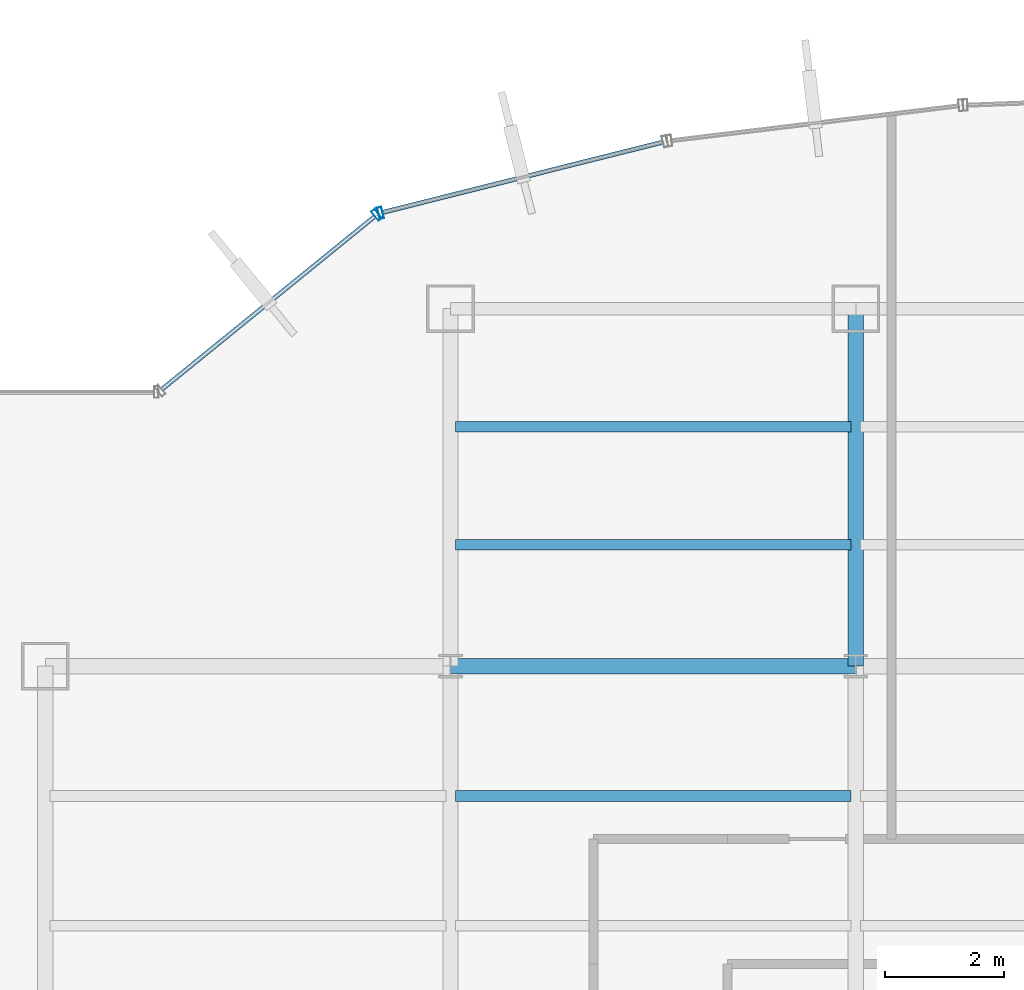
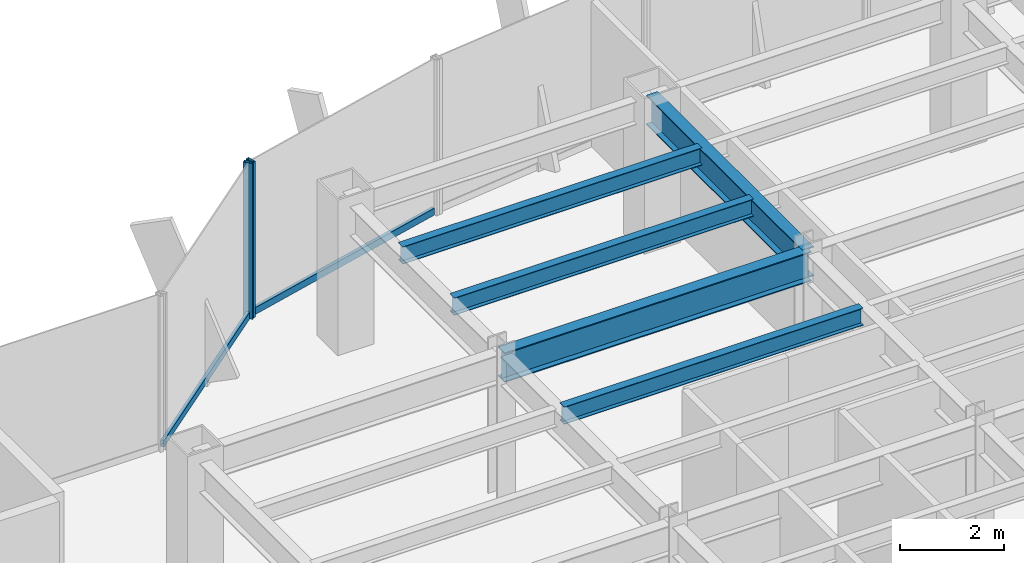
# One storey, part 14 of 26: 5 beams, 4 members, 2 elements without a shape of their own.
"""IFC4 building model written with IfcOpenShell, lengths in metres."""

from ifc_helpers import new_model, si_unit, derived_unit, direction, frame, origin, origin_2d, place, context, subcontext, project, spatial, hollow_rectangle, i_section, extrude, source, transform, mapped, material, material_profile, profile_set, type_object, element, aggregate, save


model = new_model("IFC4")

# Units and contexts
model_context = context("Model", 3, precision=1e-05, world=origin(), true_north=direction((0.0, 1.0)))
body_context = subcontext(model_context, "Body", "Model", "MODEL_VIEW")
ifc_project = project(units=[si_unit("LENGTHUNIT", "METRE"), si_unit("AREAUNIT", "SQUARE_METRE"), si_unit("VOLUMEUNIT", "CUBIC_METRE"), si_unit("PLANEANGLEUNIT", "RADIAN"), si_unit("MASSUNIT", "GRAM", prefix="KILO"), derived_unit("THERMALTRANSMITTANCEUNIT", [(si_unit("POWERUNIT", "WATT"), 1), (si_unit("LENGTHUNIT", "METRE"), -2), (si_unit("THERMODYNAMICTEMPERATUREUNIT", "KELVIN"), -1)])], contexts=[model_context])

# Site, building, storey
site_placement = place(None, origin())
site = spatial("IfcSite", under=ifc_project, at=site_placement, CompositionType="ELEMENT")
building_placement = place(site_placement, origin())
building = spatial("IfcBuilding", under=site, at=building_placement, Name="Skarnbrae Concourse Arena and Tower", CompositionType="ELEMENT")
storey_placement = place(building_placement, frame((0.0, 0.0, 128.800048828125)))
storey = spatial("IfcBuildingStorey", under=building, at=storey_placement, Name="L32", CompositionType="ELEMENT", Elevation=128.800048828125)

# Beams
ifc_material_1 = material(Name="Steel CSA G40.21 350W", Category="steel")
ifc_material_profile_1 = material_profile(ifc_material_1, i_section(OverallWidth=0.256103515625, OverallDepth=0.693115234375, WebThickness=0.014404296875, FlangeThickness=0.023681640625, at=origin_2d()), Name="W690X170")
ifc_profile_set_1 = profile_set([ifc_material_profile_1], Name="Steel CSA G40.21 350W")
beam_type_1 = type_object("IfcBeamType", Name="BM-GIRD-W690X170", PredefinedType="BEAM", material=ifc_profile_set_1)
shared_shape_1 = source(origin(), body_context, "Body", "SweptSolid", [
    extrude(i_section(OverallWidth=0.256103515625, OverallDepth=0.693115234375, WebThickness=0.014404296875, FlangeThickness=0.023681640625, at=origin_2d()), origin(), (0.0, 0.0, 1.0), 6.800048828125),
])
beam_1_placement = place(storey_placement, frame((14.39990234375, 34.39990234375, 3.053466796875), z_axis=(1.0, 0.0, 0.0), x_axis=(0.0, 1.0, 0.0)))
element("IfcBeam", 1, at=beam_1_placement, inside=storey, type_object=beam_type_1, Name="L32 Primary E-W girder Y34.4-2", PredefinedType="BEAM", context=body_context, shape_type="MappedRepresentation", body=[
    mapped(shared_shape_1, transform((0.0, 0.0, 0.0))),
])
shared_shape_2 = source(origin(), body_context, "Body", "SweptSolid", [
    extrude(i_section(OverallWidth=0.256103515625, OverallDepth=0.693115234375, WebThickness=0.014404296875, FlangeThickness=0.023681640625, at=origin_2d()), origin(), (0.0, 0.0, 1.0), 6.0),
])
beam_2_placement = place(storey_placement, frame((21.199951171875, 34.39990234375, 3.053466796875), z_axis=(0.0, 1.0, 0.0), x_axis=(-1.0, 0.0, 0.0)))
element("IfcBeam", 2, at=beam_2_placement, inside=storey, type_object=beam_type_1, Name="L32 Primary N-S girder X21.2-4", PredefinedType="BEAM", context=body_context, shape_type="MappedRepresentation", body=[
    mapped(shared_shape_2, transform((0.0, 0.0, 0.0))),
])
ifc_material_profile_2 = material_profile(ifc_material_1, i_section(OverallWidth=0.177978515625, OverallDepth=0.406982421875, WebThickness=0.0078125, FlangeThickness=0.0126953125, at=origin_2d()), Name="W410X60")
ifc_profile_set_2 = profile_set([ifc_material_profile_2], Name="Steel CSA G40.21 350W")
beam_type_2 = type_object("IfcBeamType", Name="BM-JOIST-W410X60", PredefinedType="JOIST", material=ifc_profile_set_2)
shared_shape_3 = source(origin(), body_context, "Body", "SweptSolid", [
    extrude(i_section(OverallWidth=0.177978515625, OverallDepth=0.406982421875, WebThickness=0.0078125, FlangeThickness=0.0126953125, at=origin_2d()), origin(), (0.0, 0.0, 1.0), 6.64013671875),
])
for number, where, z_axis, x_axis, name in (
    (3, (14.47998046875, 32.221923828125, 3.196533203125), (1.0, 0.0, 0.0), (0.0, 1.0, 0.0), "L32 Secondary floor joist 3.2.2"),
    (4, (14.47998046875, 36.43994140625, 3.196533203125), (1.0, 0.0, 0.0), (0.0, 1.0, 0.0), "L32 Secondary floor joist 4.1.1"),
    (5, (14.47998046875, 38.419921875, 3.196533203125), (1.0, 0.0, 0.0), (0.0, 1.0, 0.0), "L32 Secondary floor joist 4.2.1"),
):
    element("IfcBeam", number, at=place(storey_placement, frame(where, z_axis=z_axis, x_axis=x_axis)), inside=storey, type_object=beam_type_2, Name=name, PredefinedType="JOIST", context=body_context, shape_type="MappedRepresentation", body=[
        mapped(shared_shape_3, transform((0.0, 0.0, 0.0))),
    ])

# Curtain wall, member
ifc_material_2 = material(Name="Bronze anodised aluminium 6063-T6", Category="aluminium")
curtain_wall_type = type_object("IfcCurtainWallType", Name="CW-SYS-04-MIDZONE", PredefinedType="USERDEFINED", material=ifc_material_2)
curtain_wall_1_placement = place(storey_placement, origin())
curtain_wall_1 = element("IfcCurtainWall", 6, at=curtain_wall_1_placement, inside=storey, type_object=curtain_wall_type, Name="L32 Unitised curtain wall CW-L32-E15", ObjectType="UNITISED CURTAIN WALL", PredefinedType="USERDEFINED")
ifc_material_profile_3 = material_profile(ifc_material_2, hollow_rectangle(XDim=0.074951171875, YDim=0.159912109375, WallThickness=0.00439453125, at=origin_2d()), Name="ALU-TRAN-75X160")
ifc_profile_set_3 = profile_set([ifc_material_profile_3], Name="Bronze anodised aluminium 6063-T6")
member_type_1 = type_object("IfcMemberType", Name="CWT-CW-04", PredefinedType="USERDEFINED", material=ifc_profile_set_3)
shared_shape_4 = source(origin(), body_context, "Body", "SweptSolid", [
    extrude(hollow_rectangle(XDim=0.074951171875, YDim=0.159912109375, WallThickness=0.00439453125, at=origin_2d()), origin(), (0.0, 0.0, 1.0), 4.602294921875),
])
member_1_placement = place(storey_placement, frame((13.130615234375, 41.94873046875, 0.079833984375), z_axis=(-0.776251906445, -0.630422856297, 0.0), x_axis=(0.630422856297, -0.776251906445, 0.0)))
member_1 = element("IfcMember", 7, at=member_1_placement, type_object=member_type_1, Name="CW-L32-E15 Transom 1", ObjectType="TRANSOM", PredefinedType="USERDEFINED", context=body_context, shape_type="MappedRepresentation", body=[
    mapped(shared_shape_4, transform((0.0, 0.0, 0.0))),
])

# Curtain wall, members
curtain_wall_2_placement = place(storey_placement, origin())
curtain_wall_2 = element("IfcCurtainWall", 8, at=curtain_wall_2_placement, inside=storey, type_object=curtain_wall_type, Name="L32 Unitised curtain wall CW-L32-E14", ObjectType="UNITISED CURTAIN WALL", PredefinedType="USERDEFINED")
shared_shape_5 = source(origin(), body_context, "Body", "SweptSolid", [
    extrude(hollow_rectangle(XDim=0.074951171875, YDim=0.159912109375, WallThickness=0.00439453125, at=origin_2d()), origin(), (0.0, 0.0, 1.0), 4.84716796875),
])
member_2_placement = place(storey_placement, frame((17.963134765625, 43.194580078125, 0.079833984375), z_axis=(-0.969907992238, -0.243471736744, 0.0), x_axis=(0.243471736744, -0.969907992238, 0.0)))
member_2 = element("IfcMember", 9, at=member_2_placement, type_object=member_type_1, Name="CW-L32-E14 Transom 1", ObjectType="TRANSOM", PredefinedType="USERDEFINED", context=body_context, shape_type="MappedRepresentation", body=[
    mapped(shared_shape_5, transform((0.0, 0.0, 0.0))),
])
ifc_material_profile_4 = material_profile(ifc_material_2, hollow_rectangle(XDim=0.074951171875, YDim=0.195068359375, WallThickness=0.00439453125, at=origin_2d()), Name="ALU-MULL-75X195")
ifc_profile_set_4 = profile_set([ifc_material_profile_4], Name="Bronze anodised aluminium 6063-T6")
member_type_2 = type_object("IfcMemberType", Name="CWM-CW-04", PredefinedType="MULLION", material=ifc_profile_set_4)
shared_shape_6 = source(origin(), body_context, "Body", "SweptSolid", [
    extrude(hollow_rectangle(XDim=0.074951171875, YDim=0.195068359375, WallThickness=0.00439453125, at=origin_2d()), origin(), (0.0, 0.0, 1.0), 3.64990234375),
])
member_3_placement = place(storey_placement, frame((13.225341796875, 42.005126953125, 0.0), z_axis=(0.0, 0.0, 1.0), x_axis=(-0.969903046166, -0.243491439351, 0.0)))
member_3 = element("IfcMember", 10, at=member_3_placement, type_object=member_type_2, Name="CW-L32-E14 Mullion 2", PredefinedType="MULLION", context=body_context, shape_type="MappedRepresentation", body=[
    mapped(shared_shape_6, transform((0.0, 0.0, 0.0))),
])
aggregate(curtain_wall_2, [member_3, member_2])

# Member
member_4_placement = place(storey_placement, frame((13.159912109375, 41.972412109375, 0.0), z_axis=(0.0, 0.0, 1.0), x_axis=(-0.776241200471, -0.630436038542, 0.0)))
member_4 = element("IfcMember", 11, at=member_4_placement, type_object=member_type_2, Name="CW-L32-E15 Mullion 1", PredefinedType="MULLION", context=body_context, shape_type="MappedRepresentation", body=[
    mapped(shared_shape_6, transform((0.0, 0.0, 0.0))),
])

aggregate(curtain_wall_1, [member_4, member_1])

save(model, "model.ifc")
